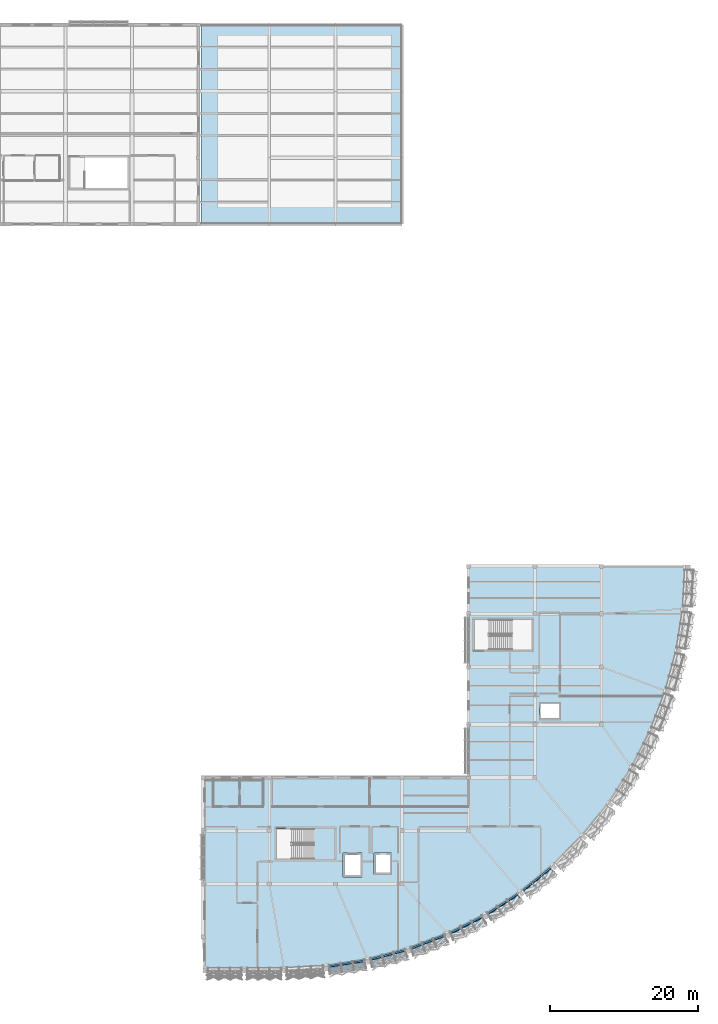
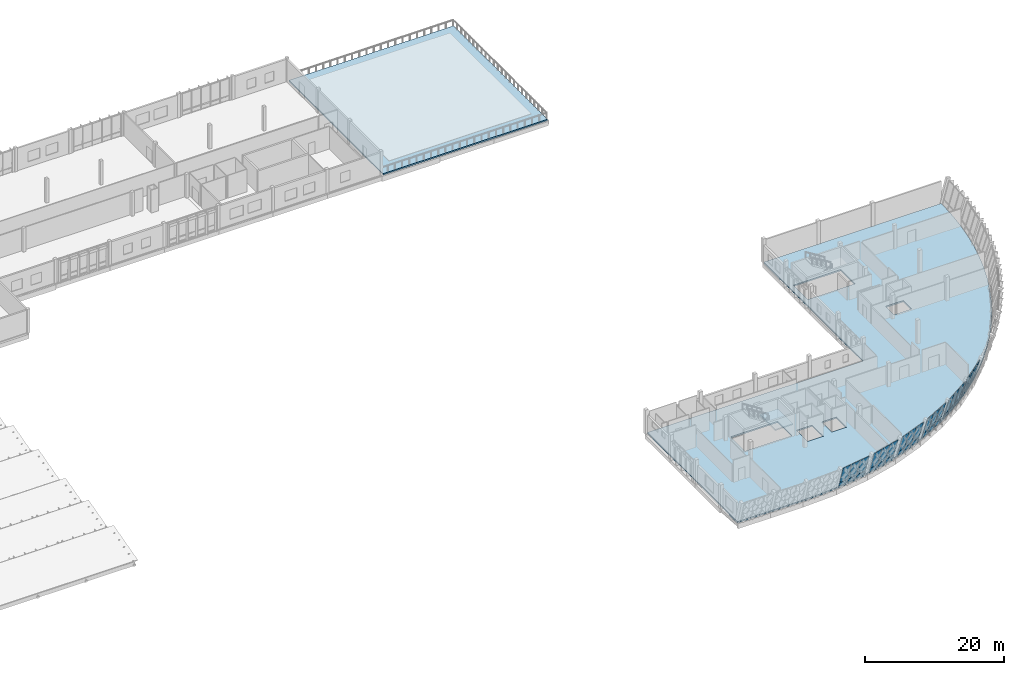
# One storey, part 76 of 94: 36 plates, 3 slabs, 7 elements without a shape of their own.
"""IFC4 building model written with IfcOpenShell, lengths in metres."""

from ifc_helpers import new_model, si_unit, direction, frame, origin, place, context, subcontext, project, spatial, polyline, outline, extrude, material, layer, layer_set, type_object, element, aggregate, save


model = new_model("IFC4")

# Units and contexts
model_context = context("Model", 3, precision=1e-05, world=origin(), true_north=direction((0.0, 1.0)))
body_context = subcontext(model_context, "Body", "Model", "MODEL_VIEW")
ifc_project = project(units=[si_unit("LENGTHUNIT", "METRE"), si_unit("AREAUNIT", "SQUARE_METRE"), si_unit("VOLUMEUNIT", "CUBIC_METRE"), si_unit("PLANEANGLEUNIT", "RADIAN"), si_unit("MASSUNIT", "GRAM", prefix="KILO")], contexts=[model_context])

# Site, building, storey
site_placement = place(None, origin())
site = spatial("IfcSite", under=ifc_project, at=site_placement, CompositionType="ELEMENT")
building_placement = place(site_placement, origin())
building = spatial("IfcBuilding", under=site, at=building_placement, Name="Chiffa Square Polytechnic", CompositionType="ELEMENT")
storey_placement = place(building_placement, frame((0.0, 0.0, 18.0)))
storey = spatial("IfcBuildingStorey", under=building, at=storey_placement, Name="L04", CompositionType="ELEMENT", Elevation=18.0)

# Curtain wall, plates
ifc_material_1 = material(Name="Aluminium EN AW-6060 T66 and glulam shading", Category="wood")
curtain_wall_type_1 = type_object("IfcCurtainWallType", Name="CW-PROW-LEAN-300", PredefinedType="USERDEFINED", material=ifc_material_1)
curtain_wall_1_placement = place(storey_placement, origin())
curtain_wall_1 = element("IfcCurtainWall", 1, at=curtain_wall_1_placement, inside=storey, type_object=curtain_wall_type_1, Name="Outward-leaning diamond-fin prow curtain wall CW-V1-L04-068", ObjectType="CURTAIN WALL", PredefinedType="USERDEFINED")
ifc_material_2 = material(Name="Double glazing", Category="glass")
ifc_layer_1 = layer(ifc_material_2, 0.035888671875, Name="Double glazing")
ifc_layer_set_1 = layer_set([ifc_layer_1], Name="Double glazing")
plate_type_1 = type_object("IfcPlateType", Name="CWP-GLZ-120X145", PredefinedType="CURTAIN_PANEL", material=ifc_layer_set_1)
plate_1_placement = place(storey_placement, frame((150.922119140625, 10.30859375, 0.8779296875), z_axis=(-0.524202934761, 0.80702618211, 0.271882372686), x_axis=(0.838616293441, 0.544722601307, -1.026478e-06)))
plate_1 = element("IfcPlate", 2, at=plate_1_placement, type_object=plate_type_1, Name="Leaning prow curtain panel CW-V1-L04-068-PN01", PredefinedType="CURTAIN_PANEL", context=body_context, shape_type="SweptSolid", body=[
    extrude(outline(polyline([(0.0, 0.0), (1.5027812961238913, -2.7755575615628914e-17), (1.4870921255640033, -3.135192531016627), (-0.04304708322179144, -3.135189295924677), (0.0, 0.0)])), origin(), (0.0, 0.0, -1.0), 0.035888671875),
])
plate_2_placement = place(storey_placement, frame((152.280029296875, 11.190673828125, 0.8779296875), z_axis=(-0.524206616238, 0.807031849855, 0.271858449954), x_axis=(0.838616293469, 0.544722601264, -1.026395e-06)))
plate_2 = element("IfcPlate", 3, at=plate_2_placement, type_object=plate_type_1, Name="Leaning prow curtain panel CW-V1-L04-068-PN02", PredefinedType="CURTAIN_PANEL", context=body_context, shape_type="SweptSolid", body=[
    extrude(outline(polyline([(0.0, 0.0), (1.5027812961238913, 0.0), (1.5165481652439399, -3.1351705440013995), (-0.013591043541855304, -3.135167309194103), (0.0, 0.0)])), origin(), (0.0, 0.0, -1.0), 0.035888671875),
])
plate_3_placement = place(storey_placement, frame((153.637939453125, 12.07275390625, 0.8779296875), z_axis=(-0.52418355893, 0.807038151548, 0.271884200522), x_axis=(0.838633714611, 0.544695779228, 2.8432468e-05)))
plate_3 = element("IfcPlate", 4, at=plate_3_placement, type_object=plate_type_1, Name="Leaning prow curtain panel CW-V1-L04-068-PN03", PredefinedType="CURTAIN_PANEL", context=body_context, shape_type="SweptSolid", body=[
    extrude(outline(polyline([(0.0, 0.0), (1.5026483122060394, 2.7755575615628914e-17), (1.545987358202346, -3.1351469517014188), (0.016052895173310797, -3.135236550712239), (0.0, 0.0)])), origin(), (0.0, 0.0, -1.0), 0.035888671875),
])

curtain_wall_type_2 = type_object("IfcCurtainWallType", Name="CW-PROW-LEAN-150", PredefinedType="USERDEFINED", material=ifc_material_1)
curtain_wall_2_placement = place(storey_placement, origin())
curtain_wall_2 = element("IfcCurtainWall", 5, at=curtain_wall_2_placement, inside=storey, type_object=curtain_wall_type_2, Name="Outward-leaning diamond-fin prow curtain wall CW-V1-L04-065", ObjectType="CURTAIN WALL", PredefinedType="USERDEFINED")
ifc_layer_2 = layer(ifc_material_2, 0.0458984375, Name="Double glazing")
ifc_layer_set_2 = layer_set([ifc_layer_2], Name="Double glazing")
plate_type_2 = type_object("IfcPlateType", Name="CWP-GLZ-128X106", PredefinedType="CURTAIN_PANEL", material=ifc_layer_set_2)
plate_4_placement = place(storey_placement, frame((135.02880859375, 4.044189453125, 0.8779296875), z_axis=(-0.249101313045, 0.929559968238, 0.271784475805), x_axis=(0.965919331339, 0.258843283317, 5.222937e-06)))
plate_4 = element("IfcPlate", 6, at=plate_4_placement, type_object=plate_type_2, Name="Leaning prow curtain panel CW-V1-L04-065-PN01", PredefinedType="CURTAIN_PANEL", context=body_context, shape_type="SweptSolid", body=[
    extrude(outline(polyline([(0.0, 0.0), (1.5026190857261676, -1.3877787807814457e-17), (1.486621951816378, -3.13509278828306), (-0.04406899530582009, -3.135109250748898), (0.0, 0.0)])), origin(), (0.0, 0.0, -1.0), 0.0458984375),
])
plate_5_placement = place(storey_placement, frame((136.593017578125, 4.46337890625, 0.8779296875), z_axis=(-0.249171594677, 0.929533201031, 0.271811597594), x_axis=(0.965897690539, 0.258924025867, -1.54914e-05)))
plate_5 = element("IfcPlate", 7, at=plate_5_placement, type_object=plate_type_2, Name="Leaning prow curtain panel CW-V1-L04-065-PN02", PredefinedType="CURTAIN_PANEL", context=body_context, shape_type="SweptSolid", body=[
    extrude(outline(polyline([(0.0, 0.0), (1.5026822918669867, 0.0), (1.5165730359278145, -3.135150224299505), (-0.014117908380575288, -3.135101394691332), (0.0, 0.0)])), origin(), (0.0, 0.0, -1.0), 0.0458984375),
])
plate_6_placement = place(storey_placement, frame((138.156982421875, 4.8828125, 0.8779296875), z_axis=(-0.249022583336, 0.929555216987, 0.271872859185), x_axis=(0.965938769665, 0.258770734902, -4.115402e-06)))
plate_6 = element("IfcPlate", 8, at=plate_6_placement, type_object=plate_type_2, Name="Leaning prow curtain panel CW-V1-L04-065-PN03", PredefinedType="CURTAIN_PANEL", context=body_context, shape_type="SweptSolid", body=[
    extrude(outline(polyline([(0.0, 0.0), (1.5028549084778213, 1.3877787807814457e-17), (1.5467010345785306, -3.1351888028258914), (0.016309095532933637, -3.1351758311965074), (0.0, 0.0)])), origin(), (0.0, 0.0, -1.0), 0.0458984375),
])

curtain_wall_3_placement = place(storey_placement, origin())
curtain_wall_3 = element("IfcCurtainWall", 9, at=curtain_wall_3_placement, inside=storey, type_object=curtain_wall_type_1, Name="Outward-leaning diamond-fin prow curtain wall CW-V1-L04-064", ObjectType="CURTAIN WALL", PredefinedType="USERDEFINED")
ifc_layer_3 = layer(ifc_material_2, 0.0458984375, Name="Double glazing")
ifc_layer_set_3 = layer_set([ifc_layer_3], Name="Double glazing")
plate_type_3 = type_object("IfcPlateType", Name="CWP-GLZ-130X110", PredefinedType="CURTAIN_PANEL", material=ifc_layer_set_3)
plate_7_placement = place(storey_placement, frame((129.392333984375, 3.10009765625, 0.8779296875), z_axis=(-0.150596726878, 0.95044816979, 0.271972245635), x_axis=(0.98767900354, 0.156493405263, 8.65722e-06)))
plate_7 = element("IfcPlate", 10, at=plate_7_placement, type_object=plate_type_3, Name="Leaning prow curtain panel CW-V1-L04-064-PN01", PredefinedType="CURTAIN_PANEL", context=body_context, shape_type="SweptSolid", body=[
    extrude(outline(polyline([(0.0, 0.0), (1.5026376493626448, 0.0), (1.4862132659203853, -3.1352603142561333), (-0.043877813785936345, -3.135287597704146), (0.0, 0.0)])), origin(), (0.0, 0.0, -1.0), 0.0458984375),
])
plate_8_placement = place(storey_placement, frame((130.99169921875, 3.353515625, 0.8779296875), z_axis=(-0.150599833222, 0.950467774587, 0.271902003863), x_axis=(0.987678709213, 0.156495263073, 2.002405e-06)))
plate_8 = element("IfcPlate", 11, at=plate_8_placement, type_object=plate_type_3, Name="Leaning prow curtain panel CW-V1-L04-064-PN02", PredefinedType="CURTAIN_PANEL", context=body_context, shape_type="SweptSolid", body=[
    extrude(outline(polyline([(0.0, 0.0), (1.5023965168293394, 0.0), (1.5158916205871105, -3.1352058607088504), (-0.014440591768676032, -3.1352121712094214), (0.0, 0.0)])), origin(), (0.0, 0.0, -1.0), 0.0458984375),
])
plate_9_placement = place(storey_placement, frame((132.5908203125, 3.606689453125, 0.8779296875), z_axis=(-0.150680055502, 0.950485141876, 0.271796828435), x_axis=(0.98766562079, 0.156577844385, -1.2524345e-05)))
plate_9 = element("IfcPlate", 12, at=plate_9_placement, type_object=plate_type_3, Name="Leaning prow curtain panel CW-V1-L04-064-PN03", PredefinedType="CURTAIN_PANEL", context=body_context, shape_type="SweptSolid", body=[
    extrude(outline(polyline([(0.0, 0.0), (1.5026758668873914, 1.3877787807814457e-17), (1.545514793478631, -3.13513233561771), (0.01542371485729028, -3.1350928663647992), (0.0, 0.0)])), origin(), (0.0, 0.0, -1.0), 0.0458984375),
])

curtain_wall_4_placement = place(storey_placement, origin())
curtain_wall_4 = element("IfcCurtainWall", 13, at=curtain_wall_4_placement, inside=storey, type_object=curtain_wall_type_2, Name="Outward-leaning diamond-fin prow curtain wall CW-V1-L04-067", ObjectType="CURTAIN WALL", PredefinedType="USERDEFINED")
ifc_layer_4 = layer(ifc_material_2, 0.035888671875, Name="Double glazing")
ifc_layer_set_4 = layer_set([ifc_layer_4], Name="Double glazing")
plate_type_4 = type_object("IfcPlateType", Name="CWP-GLZ-150X125", PredefinedType="CURTAIN_PANEL", material=ifc_layer_set_4)
plate_10_placement = place(storey_placement, frame((145.85302734375, 7.668701171875, 0.8779296875), z_axis=(-0.436894457879, 0.857444105366, 0.271869157587), x_axis=(0.891005784498, 0.453991951347, 1.0176288e-05)))
plate_10 = element("IfcPlate", 14, at=plate_10_placement, type_object=plate_type_4, Name="Leaning prow curtain panel CW-V1-L04-067-PN01", PredefinedType="CURTAIN_PANEL", context=body_context, shape_type="SweptSolid", body=[
    extrude(outline(polyline([(0.0, 0.0), (1.5026194419554677, -5.551115123125783e-17), (1.4873344975666265, -3.135163053651317), (-0.04301911570337372, -3.1351951260916606), (0.0, 0.0)])), origin(), (0.0, 0.0, -1.0), 0.035888671875),
])
plate_11_placement = place(storey_placement, frame((147.2958984375, 8.40380859375, 0.8779296875), z_axis=(-0.436959829831, 0.857420378728, 0.271838925205), x_axis=(0.890970771236, 0.454060661943, -8.932293e-06)))
plate_11 = element("IfcPlate", 15, at=plate_11_placement, type_object=plate_type_4, Name="Leaning prow curtain panel CW-V1-L04-067-PN02", PredefinedType="CURTAIN_PANEL", context=body_context, shape_type="SweptSolid", body=[
    extrude(outline(polyline([(0.0, 0.0), (1.5027302879849922, -2.7755575615628914e-17), (1.5169113636216618, -3.1351650376908338), (-0.013442249962423266, -3.1351368851510757), (0.0, 0.0)])), origin(), (0.0, 0.0, -1.0), 0.035888671875),
])
plate_12_placement = place(storey_placement, frame((148.738525390625, 9.13916015625, 0.8779296875), z_axis=(-0.436955307224, 0.857411504284, 0.271874183787), x_axis=(0.890970770938, 0.454060662526, -8.933359e-06)))
plate_12 = element("IfcPlate", 16, at=plate_12_placement, type_object=plate_type_4, Name="Leaning prow curtain panel CW-V1-L04-067-PN03", PredefinedType="CURTAIN_PANEL", context=body_context, shape_type="SweptSolid", body=[
    extrude(outline(polyline([(0.0, 0.0), (1.5027302879850089, 0.0), (1.5467182813490543, -3.135197765884772), (0.0163646677650199, -3.135169609693518), (0.0, 0.0)])), origin(), (0.0, 0.0, -1.0), 0.035888671875),
])

curtain_wall_5_placement = place(storey_placement, origin())
curtain_wall_5 = element("IfcCurtainWall", 17, at=curtain_wall_5_placement, inside=storey, type_object=curtain_wall_type_1, Name="Outward-leaning diamond-fin prow curtain wall CW-V1-L04-066", ObjectType="CURTAIN WALL", PredefinedType="USERDEFINED")
ifc_layer_5 = layer(ifc_material_2, 0.035888671875, Name="Double glazing")
ifc_layer_set_5 = layer_set([ifc_layer_5], Name="Double glazing")
plate_type_5 = type_object("IfcPlateType", Name="CWP-GLZ-150X145", PredefinedType="CURTAIN_PANEL", material=ifc_layer_set_5)
plate_13_placement = place(storey_placement, frame((140.535400390625, 5.57275390625, 0.8779296875), z_axis=(-0.344881201844, 0.898410496607, 0.271874118299), x_axis=(0.933576275542, 0.358378762913, 6.126219e-06)))
plate_13 = element("IfcPlate", 18, at=plate_13_placement, type_object=plate_type_5, Name="Leaning prow curtain panel CW-V1-L04-066-PN01", PredefinedType="CURTAIN_PANEL", context=body_context, shape_type="SweptSolid", body=[
    extrude(outline(polyline([(0.0, 0.0), (1.5028921890936595, 0.0), (1.4874379723893343, -3.1351738782725187), (-0.043201437038045055, -3.1351931897600687), (0.0, 0.0)])), origin(), (0.0, 0.0, -1.0), 0.035888671875),
])
plate_14_placement = place(storey_placement, frame((142.04736328125, 6.153076171875, 0.8779296875), z_axis=(-0.344895087778, 0.898399822273, 0.271891775835), x_axis=(0.93356801003, 0.35840029361, -1.3752955e-05)))
plate_14 = element("IfcPlate", 19, at=plate_14_placement, type_object=plate_type_5, Name="Leaning prow curtain panel CW-V1-L04-066-PN02", PredefinedType="CURTAIN_PANEL", context=body_context, shape_type="SweptSolid", body=[
    extrude(outline(polyline([(0.0, 0.0), (1.503207609777572, 2.7755575615628914e-17), (1.5174193556466582, -3.135221286313623), (-0.013447976007760702, -3.1351779253149696), (0.0, 0.0)])), origin(), (0.0, 0.0, -1.0), 0.035888671875),
])
plate_15_placement = place(storey_placement, frame((143.5595703125, 6.733642578125, 0.8779296875), z_axis=(-0.344877626491, 0.898401182864, 0.271909428622), x_axis=(0.933576275704, 0.358378762493, 6.126951e-06)))
plate_15 = element("IfcPlate", 20, at=plate_15_placement, type_object=plate_type_5, Name="Leaning prow curtain panel CW-V1-L04-066-PN03", PredefinedType="CURTAIN_PANEL", context=body_context, shape_type="SweptSolid", body=[
    extrude(outline(polyline([(0.0, 0.0), (1.502892189093667, 2.7755575615628914e-17), (1.5470166720511374, -3.135206000221472), (0.01637726262378198, -3.135225314217149), (0.0, 0.0)])), origin(), (0.0, 0.0, -1.0), 0.035888671875),
])

curtain_wall_6_placement = place(storey_placement, origin())
curtain_wall_6 = element("IfcCurtainWall", 21, at=curtain_wall_6_placement, inside=storey, type_object=curtain_wall_type_2, Name="Outward-leaning diamond-fin prow curtain wall CW-V1-L04-069", ObjectType="CURTAIN WALL", PredefinedType="USERDEFINED")
ifc_layer_6 = layer(ifc_material_2, 0.035888671875, Name="Double glazing")
ifc_layer_set_6 = layer_set([ifc_layer_6], Name="Double glazing")
plate_type_6 = type_object("IfcPlateType", Name="CWP-GLZ-180X140", PredefinedType="CURTAIN_PANEL", material=ifc_layer_set_6)
plate_16_placement = place(storey_placement, frame((155.687255859375, 13.464599609375, 0.8779296875), z_axis=(-0.605635176949, 0.74786415941, 0.271855166427), x_axis=(0.777134541768, 0.629334492812, 1.2154496e-05)))
plate_16 = element("IfcPlate", 22, at=plate_16_placement, type_object=plate_type_6, Name="Leaning prow curtain panel CW-V1-L04-069-PN01", PredefinedType="CURTAIN_PANEL", context=body_context, shape_type="SweptSolid", body=[
    extrude(outline(polyline([(0.0, 0.0), (1.5025505380708895, -2.7755575615628914e-17), (1.486606626617136, -3.135147128711144), (-0.04370268175601656, -3.1351854342489096), (0.0, 0.0)])), origin(), (0.0, 0.0, -1.0), 0.035888671875),
])
plate_17_placement = place(storey_placement, frame((156.94580078125, 14.4833984375, 0.8779296875), z_axis=(-0.60556018495, 0.747944682832, 0.271800687686), x_axis=(0.777200524381, 0.629253005235, -1.7461815e-05)))
plate_17 = element("IfcPlate", 23, at=plate_17_placement, type_object=plate_type_6, Name="Leaning prow curtain panel CW-V1-L04-069-PN02", PredefinedType="CURTAIN_PANEL", context=body_context, shape_type="SweptSolid", body=[
    extrude(outline(polyline([(0.0, 0.0), (1.5025505364718186, -5.551115123125783e-17), (1.5164617393565392, -3.1351432890383553), (-0.013883672613711439, -3.135088257426528), (0.0, 0.0)])), origin(), (0.0, 0.0, -1.0), 0.035888671875),
])
plate_18_placement = place(storey_placement, frame((158.2041015625, 15.502197265625, 0.8779296875), z_axis=(-0.605552965302, 0.747935765638, 0.271841307922), x_axis=(0.777200523453, 0.62925300638, -1.7464216e-05)))
plate_18 = element("IfcPlate", 24, at=plate_18_placement, type_object=plate_type_6, Name="Leaning prow curtain panel CW-V1-L04-069-PN03", PredefinedType="CURTAIN_PANEL", context=body_context, shape_type="SweptSolid", body=[
    extrude(outline(polyline([(0.0, 0.0), (1.5025505364718925, 2.7755575615628914e-17), (1.5465065872374484, -3.135181216514504), (0.01616117526742081, -3.1351261766782788), (0.0, 0.0)])), origin(), (0.0, 0.0, -1.0), 0.035888671875),
])
ifc_material_3 = material(Name="Aluminium insulated spandrel", Category="aluminium")
ifc_layer_7 = layer(ifc_material_3, 0.072021484375, Name="Aluminium insulated spandrel")
ifc_layer_set_7 = layer_set([ifc_layer_7], Name="Aluminium insulated spandrel")
plate_type_7 = type_object("IfcPlateType", Name="CWP-SPN-136X072", PredefinedType="SHEET", material=ifc_layer_set_7)
plate_19_placement = place(storey_placement, frame((155.54931640625, 13.654052734375, 0.050048828125), z_axis=(-0.605490800739, 0.747926945863, 0.272003996061), x_axis=(0.777229759644, 0.629216894733, -1.029705e-05)))
plate_19 = element("IfcPlate", 25, at=plate_19_placement, type_object=plate_type_7, Name="Leaning prow curtain panel CW-V1-L04-069-SP01", PredefinedType="SHEET", context=body_context, shape_type="SweptSolid", body=[
    extrude(outline(polyline([(0.0, 0.0), (1.4949241019416126, 0.0), (1.4909802293211751, -0.8022353945556131), (-0.011073313190996387, -0.8022033253967451), (0.0, 0.0)])), origin(), (0.0, 0.0, -1.0), 0.072021484375),
])
plate_20_placement = place(storey_placement, frame((156.801513671875, 14.667724609375, 0.050048828125), z_axis=(-0.605490448131, 0.748004901096, 0.271790333084), x_axis=(0.777259629058, 0.62917999688, -2.3695564e-05)))
plate_20 = element("IfcPlate", 26, at=plate_20_placement, type_object=plate_type_7, Name="Leaning prow curtain panel CW-V1-L04-069-SP02", PredefinedType="SHEET", context=body_context, shape_type="SweptSolid", body=[
    extrude(outline(polyline([(0.0, 0.0), (1.4949240973313986, 2.7755575615628914e-17), (1.4986066666286932, -0.8022060166075055), (-0.0036366374998853725, -0.8021322190345009), (0.0, 0.0)])), origin(), (0.0, 0.0, -1.0), 0.072021484375),
])
plate_21_placement = place(storey_placement, frame((158.053466796875, 15.681396484375, 0.050048828125), z_axis=(-0.605563027168, 0.747919332325, 0.271864106606), x_axis=(0.777192867703, 0.629262462215, 6.271746e-06)))
plate_21 = element("IfcPlate", 27, at=plate_21_placement, type_object=plate_type_7, Name="Leaning prow curtain panel CW-V1-L04-069-SP03", PredefinedType="SHEET", context=body_context, shape_type="SweptSolid", body=[
    extrude(outline(polyline([(0.0, 0.0), (1.4949241026149995, 2.7755575615628914e-17), (1.506233094014589, -0.8021766706579705), (0.004025929207391199, -0.8021962035981234), (0.0, 0.0)])), origin(), (0.0, 0.0, -1.0), 0.072021484375),
])
aggregate(curtain_wall_6, [plate_19, plate_16, plate_20, plate_17, plate_21, plate_18])

# Plate
ifc_layer_8 = layer(ifc_material_3, 0.070068359375, Name="Aluminium insulated spandrel")
ifc_layer_set_8 = layer_set([ifc_layer_8], Name="Aluminium insulated spandrel")
plate_type_8 = type_object("IfcPlateType", Name="CWP-SPN-138X074", PredefinedType="SHEET", material=ifc_layer_set_8)
plate_22_placement = place(storey_placement, frame((150.8046875, 10.51123046875, 0.050048828125), z_axis=(-0.524172778502, 0.807070872957, 0.271807844446), x_axis=(0.838642926063, 0.544681597315, -1.0520309e-05)))
plate_22 = element("IfcPlate", 28, at=plate_22_placement, type_object=plate_type_8, Name="Leaning prow curtain panel CW-V1-L04-068-SP01", PredefinedType="SHEET", context=body_context, shape_type="SweptSolid", body=[
    extrude(outline(polyline([(0.0, 0.0), (1.495197235572021, 0.0), (1.491236343982021, -0.8021895416159823), (-0.010869498568818425, -0.8021567754677305), (0.0, 0.0)])), origin(), (0.0, 0.0, -1.0), 0.070068359375),
])

plate_23_placement = place(storey_placement, frame((152.15576171875, 11.388916015625, 0.050048828125), z_axis=(-0.52421385131, 0.80701342899, 0.27189917897), x_axis=(0.838608468106, 0.544734648399, 7.349463e-06)))
plate_23 = element("IfcPlate", 29, at=plate_23_placement, type_object=plate_type_8, Name="Leaning prow curtain panel CW-V1-L04-068-SP02", PredefinedType="SHEET", context=body_context, shape_type="SweptSolid", body=[
    extrude(outline(polyline([(0.0, 0.0), (1.495197236145763, -2.7755575615628914e-17), (1.4988204026797713, -0.8021833002127264), (-0.0034184246791106434, -0.8022061921964543), (0.0, 0.0)])), origin(), (0.0, 0.0, -1.0), 0.070068359375),
])

plate_24_placement = place(storey_placement, frame((153.5068359375, 12.2666015625, 0.050048828125), z_axis=(-0.524181505077, 0.806963632816, 0.272109252043), x_axis=(0.838608469855, 0.544734645707, 7.354687e-06)))
plate_24 = element("IfcPlate", 30, at=plate_24_placement, type_object=plate_type_8, Name="Leaning prow curtain panel CW-V1-L04-068-SP03", PredefinedType="SHEET", context=body_context, shape_type="SweptSolid", body=[
    extrude(outline(polyline([(0.0, 0.0), (1.4951972361458306, 2.7755575615628914e-17), (1.5062714754177564, -0.802232736314913), (0.004032648059076974, -0.8022556459853047), (0.0, 0.0)])), origin(), (0.0, 0.0, -1.0), 0.070068359375),
])

aggregate(curtain_wall_1, [plate_22, plate_1, plate_23, plate_2, plate_24, plate_3])

ifc_layer_9 = layer(ifc_material_3, 0.068115234375, Name="Aluminium insulated spandrel")
ifc_layer_set_9 = layer_set([ifc_layer_9], Name="Aluminium insulated spandrel")
plate_type_9 = type_object("IfcPlateType", Name="CWP-SPN-140X076", PredefinedType="SHEET", material=ifc_layer_set_9)
plate_25_placement = place(storey_placement, frame((145.75732421875, 7.88232421875, 0.050048828125), z_axis=(-0.43697859435, 0.857418626655, 0.271814287235), x_axis=(0.890964284903, 0.454073389446, 4.925621e-06)))
plate_25 = element("IfcPlate", 31, at=plate_25_placement, type_object=plate_type_9, Name="Leaning prow curtain panel CW-V1-L04-067-SP01", PredefinedType="SHEET", context=body_context, shape_type="SweptSolid", body=[
    extrude(outline(polyline([(0.0, 0.0), (1.4953052243078946, -2.7755575615628914e-17), (1.4913407903447309, -0.8021671232465685), (-0.010843599291624291, -0.8021824653811249), (0.0, 0.0)])), origin(), (0.0, 0.0, -1.0), 0.068115234375),
])

plate_26_placement = place(storey_placement, frame((147.19287109375, 8.614013671875, 0.050048828125), z_axis=(-0.436931484446, 0.85740161049, 0.271943663705), x_axis=(0.890976759527, 0.454048910819, -2.3788863e-05)))
plate_26 = element("IfcPlate", 32, at=plate_26_placement, type_object=plate_type_9, Name="Leaning prow curtain panel CW-V1-L04-067-SP02", PredefinedType="SHEET", context=body_context, shape_type="SweptSolid", body=[
    extrude(outline(polyline([(0.0, 0.0), (1.4950877004320842, -5.551115123125783e-17), (1.498638824043213, -0.8022422727951474), (-0.003434712003505985, -0.8021681814714225), (0.0, 0.0)])), origin(), (0.0, 0.0, -1.0), 0.068115234375),
])

plate_27_placement = place(storey_placement, frame((148.62841796875, 9.345458984375, 0.050048828125), z_axis=(-0.437001074824, 0.857384350929, 0.271886254499), x_axis=(0.890946242745, 0.454108789296, -4.79565e-06)))
plate_27 = element("IfcPlate", 33, at=plate_27_placement, type_object=plate_type_9, Name="Leaning prow curtain panel CW-V1-L04-067-SP03", PredefinedType="SHEET", context=body_context, shape_type="SweptSolid", body=[
    extrude(outline(polyline([(0.0, 0.0), (1.4950877059199092, 2.7755575615628914e-17), (1.5063922701184405, -0.8021992099015535), (0.004207880465080439, -0.802184273365096), (0.0, 0.0)])), origin(), (0.0, 0.0, -1.0), 0.068115234375),
])

aggregate(curtain_wall_4, [plate_25, plate_10, plate_26, plate_11, plate_27, plate_12])

ifc_layer_10 = layer(ifc_material_3, 0.06591796875, Name="Aluminium insulated spandrel")
ifc_layer_set_10 = layer_set([ifc_layer_10], Name="Aluminium insulated spandrel")
plate_type_10 = type_object("IfcPlateType", Name="CWP-SPN-144X078", PredefinedType="SHEET", material=ifc_layer_set_10)
plate_28_placement = place(storey_placement, frame((140.46240234375, 5.79541015625, 0.050048828125), z_axis=(-0.344876248681, 0.898355218105, 0.272062998584), x_axis=(0.933572058212, 0.358389748336, 2.032168e-05)))
plate_28 = element("IfcPlate", 34, at=plate_28_placement, type_object=plate_type_10, Name="Leaning prow curtain panel CW-V1-L04-066-SP01", PredefinedType="SHEET", context=body_context, shape_type="SweptSolid", body=[
    extrude(outline(polyline([(0.0, 0.0), (1.4955478756136409, -2.7755575615628914e-17), (1.4915821398481377, -0.8022018461037306), (-0.010854202744315455, -0.80226515835251), (0.0, 0.0)])), origin(), (0.0, 0.0, -1.0), 0.06591796875),
])

plate_29_placement = place(storey_placement, frame((141.967041015625, 6.372802734375, 0.050048828125), z_axis=(-0.344930687649, 0.898418648606, 0.27178438615), x_axis=(0.933560816878, 0.358419029951, 1.263503e-05)))
plate_29 = element("IfcPlate", 35, at=plate_29_placement, type_object=plate_type_10, Name="Leaning prow curtain panel CW-V1-L04-066-SP02", PredefinedType="SHEET", context=body_context, shape_type="SweptSolid", body=[
    extrude(outline(polyline([(0.0, 0.0), (1.4953199515744822, 0.0), (1.499001179114448, -0.802148036378096), (-0.0034351668411763156, -0.8021873946368941), (0.0, 0.0)])), origin(), (0.0, 0.0, -1.0), 0.06591796875),
])

plate_30_placement = place(storey_placement, frame((143.471435546875, 6.950439453125, 0.050048828125), z_axis=(-0.344814251795, 0.898397859677, 0.272000767439), x_axis=(0.933597286712, 0.358324024095, 4.17565e-07)))
plate_30 = element("IfcPlate", 36, at=plate_30_placement, type_object=plate_type_10, Name="Leaning prow curtain panel CW-V1-L04-066-SP03", PredefinedType="SHEET", context=body_context, shape_type="SweptSolid", body=[
    extrude(outline(polyline([(0.0, 0.0), (1.495547879783939, 0.0), (1.5067266111574884, -0.802218025679668), (0.00437776220961773, -0.8022193265414599), (0.0, 0.0)])), origin(), (0.0, 0.0, -1.0), 0.06591796875),
])

aggregate(curtain_wall_5, [plate_28, plate_13, plate_29, plate_14, plate_30, plate_15])

ifc_layer_11 = layer(ifc_material_3, 0.06396484375, Name="Aluminium insulated spandrel")
ifc_layer_set_11 = layer_set([ifc_layer_11], Name="Aluminium insulated spandrel")
plate_type_11 = type_object("IfcPlateType", Name="CWP-SPN-146X082", PredefinedType="SHEET", material=ifc_layer_set_11)
plate_31_placement = place(storey_placement, frame((134.97998046875, 4.273193359375, 0.050048828125), z_axis=(-0.249100703156, 0.929542240002, 0.271845661614), x_axis=(0.965915200579, 0.258858694957, -3.6548316e-05)))
plate_31 = element("IfcPlate", 37, at=plate_31_placement, type_object=plate_type_11, Name="Leaning prow curtain panel CW-V1-L04-065-SP01", PredefinedType="SHEET", context=body_context, shape_type="SweptSolid", body=[
    extrude(outline(polyline([(0.0, 0.0), (1.495102124420411, 2.7755575615628914e-17), (1.4909192277226255, -0.8022387671748445), (-0.011400839321450012, -0.8021249294086705), (0.0, 0.0)])), origin(), (0.0, 0.0, -1.0), 0.06396484375),
])

plate_32_placement = place(storey_placement, frame((136.5361328125, 4.690185546875, 0.050048828125), z_axis=(-0.249199938451, 0.929541638927, 0.271756751852), x_axis=(0.965891281409, 0.258947933743, -1.0446295e-05)))
plate_32 = element("IfcPlate", 38, at=plate_32_placement, type_object=plate_type_11, Name="Leaning prow curtain panel CW-V1-L04-065-SP02", PredefinedType="SHEET", context=body_context, shape_type="SweptSolid", body=[
    extrude(outline(polyline([(0.0, 0.0), (1.4951021368281592, 1.3877787807814457e-17), (1.4985626001280792, -0.8021774788552758), (-0.003584847104289233, -0.802144944296817), (0.0, 0.0)])), origin(), (0.0, 0.0, -1.0), 0.06396484375),
])

plate_33_placement = place(storey_placement, frame((138.09228515625, 5.107421875, 0.050048828125), z_axis=(-0.249113700619, 0.929590741233, 0.271667844948), x_axis=(0.965918218001, 0.258847437909, 4.712038e-06)))
plate_33 = element("IfcPlate", 39, at=plate_33_placement, type_object=plate_type_11, Name="Leaning prow curtain panel CW-V1-L04-065-SP03", PredefinedType="SHEET", context=body_context, shape_type="SweptSolid", body=[
    extrude(outline(polyline([(0.0, 0.0), (1.495038927871142, 0.0), (1.5064129526295564, -0.8021329142708687), (0.0040296869104423285, -0.8021475901841184), (0.0, 0.0)])), origin(), (0.0, 0.0, -1.0), 0.06396484375),
])

aggregate(curtain_wall_2, [plate_31, plate_4, plate_32, plate_5, plate_33, plate_6])

ifc_layer_12 = layer(ifc_material_3, 0.06201171875, Name="Aluminium insulated spandrel")
ifc_layer_set_12 = layer_set([ifc_layer_12], Name="Aluminium insulated spandrel")
plate_type_12 = type_object("IfcPlateType", Name="CWP-SPN-148X084", PredefinedType="SHEET", material=ifc_layer_set_12)
plate_34_placement = place(storey_placement, frame((129.367919921875, 3.3330078125, 0.050048828125), z_axis=(-0.15060840893, 0.950455877906, 0.271938837448), x_axis=(0.987677318164, 0.156504041836, 8.542163e-06)))
plate_34 = element("IfcPlate", 40, at=plate_34_placement, type_object=plate_type_12, Name="Leaning prow curtain panel CW-V1-L04-064-SP01", PredefinedType="SHEET", context=body_context, shape_type="SweptSolid", body=[
    extrude(outline(polyline([(0.0, 0.0), (1.494730374760207, 0.0), (1.4905812642688352, -0.8021908571220931), (-0.011332988039209317, -0.8022174573911125), (0.0, 0.0)])), origin(), (0.0, 0.0, -1.0), 0.06201171875),
])

plate_35_placement = place(storey_placement, frame((130.958984375, 3.585205078125, 0.050048828125), z_axis=(-0.150598346271, 0.95047077053, 0.271892354562), x_axis=(0.987679461432, 0.156490515125, 1.1890903e-05)))
plate_35 = element("IfcPlate", 41, at=plate_35_placement, type_object=plate_type_12, Name="Leaning prow curtain panel CW-V1-L04-064-SP02", PredefinedType="SHEET", context=body_context, shape_type="SweptSolid", body=[
    extrude(outline(polyline([(0.0, 0.0), (1.4949715078687058, -2.7755575615628914e-17), (1.4982529784067278, -0.8021746266977902), (-0.00366127299120681, -0.8022116574083961), (0.0, 0.0)])), origin(), (0.0, 0.0, -1.0), 0.06201171875),
])

plate_36_placement = place(storey_placement, frame((132.550048828125, 3.837158203125, 0.050048828125), z_axis=(-0.15059943147, 0.950477619542, 0.271867809772), x_axis=(0.987679461337, 0.156490515724, 1.1889915e-05)))
plate_36 = element("IfcPlate", 42, at=plate_36_placement, type_object=plate_type_12, Name="Leaning prow curtain panel CW-V1-L04-064-SP03", PredefinedType="SHEET", context=body_context, shape_type="SweptSolid", body=[
    extrude(outline(polyline([(0.0, 0.0), (1.4949715078686854, 0.0), (1.5059191190842127, -0.8021687531569075), (0.0040048676862164245, -0.802205780524606), (0.0, 0.0)])), origin(), (0.0, 0.0, -1.0), 0.06201171875),
])

aggregate(curtain_wall_3, [plate_34, plate_7, plate_35, plate_8, plate_36, plate_9])

# Slab
ifc_material_4 = material(Name="Concrete C35/45", Category="concrete")
ifc_layer_13 = layer(ifc_material_4, 0.239990234375, Name="Concrete C35/45")
ifc_layer_set_13 = layer_set([ifc_layer_13], Name="Concrete C35/45")
slab_type_1 = type_object("IfcSlabType", Name="SLB-FLR-240", PredefinedType="FLOOR", material=ifc_layer_set_13)
slab_1_placement = place(storey_placement, frame((0.0, 0.0, -0.239990234375)))
element("IfcSlab", 43, at=slab_1_placement, inside=storey, type_object=slab_type_1, Name="V1 L04 structural slab SLB-V1-L04-006", PredefinedType="FLOOR", context=body_context, shape_type="SweptSolid", body=[
    extrude(outline(polyline([(112.449951171875, 28.800048828125), (148.199951171875, 28.800048828125), (148.199951171875, 57.35009765625), (177.576904296875, 57.35009765625), (177.501953125, 54.50390625), (177.279052734375, 51.666015625), (176.906982421875, 48.843994140625), (176.388916015625, 46.0439453125), (175.72412109375, 43.27587890625), (174.916015625, 40.547119140625), (173.965087890625, 37.863037109375), (172.8759765625, 35.23291015625), (171.64990234375, 32.6630859375), (170.2919921875, 30.162109375), (168.803955078125, 27.73388671875), (167.19189453125, 25.387939453125), (165.458984375, 23.12890625), (163.610107421875, 20.965087890625), (161.64990234375, 18.89990234375), (159.5849609375, 16.93994140625), (157.4208984375, 15.091064453125), (155.162109375, 13.35791015625), (152.81591796875, 11.74609375), (150.387939453125, 10.258056640625), (147.886962890625, 8.89990234375), (145.31689453125, 7.674072265625), (142.68701171875, 6.5849609375), (140.0029296875, 5.634033203125), (137.27392578125, 4.825927734375), (134.506103515625, 4.160888671875), (131.7060546875, 3.64306640625), (128.884033203125, 3.27099609375), (126.0458984375, 3.048095703125), (123.199951171875, 2.972900390625), (120.512939453125, 2.972900390625), (117.824951171875, 2.972900390625), (115.137939453125, 2.972900390625), (112.449951171875, 2.972900390625), (112.449951171875, 28.800048828125)]), holes=[polyline([(122.199951171875, 21.85009765625), (130.0, 21.85009765625), (130.0, 17.75), (122.199951171875, 17.75), (122.199951171875, 21.85009765625)]), polyline([(149.0, 50.199951171875), (156.800048828125, 50.199951171875), (156.800048828125, 46.10009765625), (149.0, 46.10009765625), (149.0, 50.199951171875)]), polyline([(131.199951171875, 18.550048828125), (133.800048828125, 18.550048828125), (133.800048828125, 15.35009765625), (131.199951171875, 15.35009765625), (131.199951171875, 18.550048828125)]), polyline([(135.39990234375, 18.550048828125), (137.800048828125, 18.550048828125), (137.800048828125, 15.64990234375), (135.39990234375, 15.64990234375), (135.39990234375, 18.550048828125)]), polyline([(157.800048828125, 39.0), (160.699951171875, 39.0), (160.699951171875, 36.60009765625), (157.800048828125, 36.60009765625), (157.800048828125, 39.0)])]), origin(), (0.0, 0.0, 1.0), 0.239990234375),
])

# Stair, slab
stair_type = type_object("IfcStairType", Name="STAIR-DOG-1950", PredefinedType="HALF_TURN_STAIR", material=ifc_material_4)
stair_placement = place(storey_placement, origin())
stair = element("IfcStair", 44, at=stair_placement, inside=storey, type_object=stair_type, Name="L04 Enclosed exit stair ST-V1A", PredefinedType="HALF_TURN_STAIR")
ifc_layer_14 = layer(ifc_material_4, 0.199951171875, Name="Concrete C35/45")
ifc_layer_set_14 = layer_set([ifc_layer_14], Name="Concrete C35/45")
slab_type_2 = type_object("IfcSlabType", Name="SLB-LND-200", PredefinedType="LANDING", material=ifc_layer_set_14)
slab_2_placement = place(storey_placement, frame((0.0, 0.0, 1.89990234375)))
slab_2 = element("IfcSlab", 45, at=slab_2_placement, type_object=slab_type_2, Name="ST-V1A landing 1", PredefinedType="LANDING", context=body_context, shape_type="SweptSolid", body=[
    extrude(outline(polyline([(127.159912109375, 17.6298828125), (127.159912109375, 21.969970703125), (130.1201171875, 21.969970703125), (130.1201171875, 17.6298828125), (127.159912109375, 17.6298828125)])), origin(), (0.0, 0.0, 1.0), 0.2001953125),
])
aggregate(stair, [slab_2])

# Slab
ifc_material_5 = material(Name="Concrete C40/50", Category="concrete")
ifc_layer_15 = layer(ifc_material_5, 0.239990234375, Name="Concrete C40/50")
ifc_layer_set_15 = layer_set([ifc_layer_15], Name="Concrete C40/50")
slab_type_3 = type_object("IfcSlabType", Name="SLB-TERR-240", PredefinedType="FLOOR", material=ifc_layer_set_15)
slab_3_placement = place(storey_placement, frame((0.0, 0.0, -0.239990234375)))
element("IfcSlab", 46, at=slab_3_placement, inside=storey, type_object=slab_type_3, Name="Laboratory east planted roof garden slab SLB-V5-TERR-L04", PredefinedType="FLOOR", context=body_context, shape_type="SweptSolid", body=[
    extrude(outline(polyline([(139.199951171875, 130.800048828125), (139.199951171875, 103.800048828125), (111.949951171875, 103.800048828125), (111.949951171875, 130.800048828125), (139.199951171875, 130.800048828125)])), origin(), (0.0, 0.0, 1.0), 0.239990234375),
])

save(model, "model.ifc")
